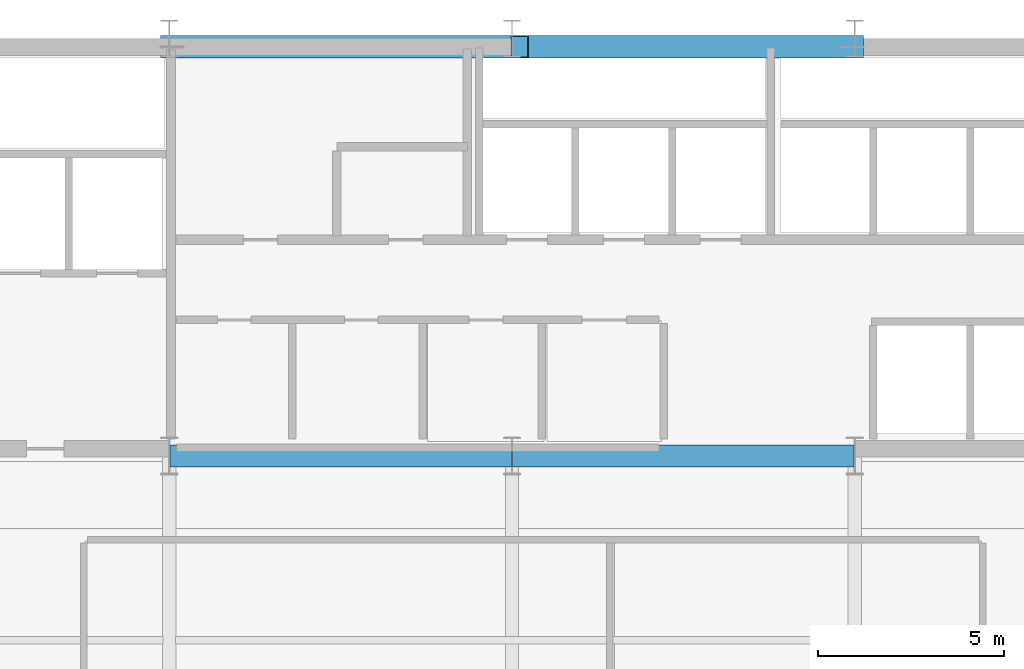
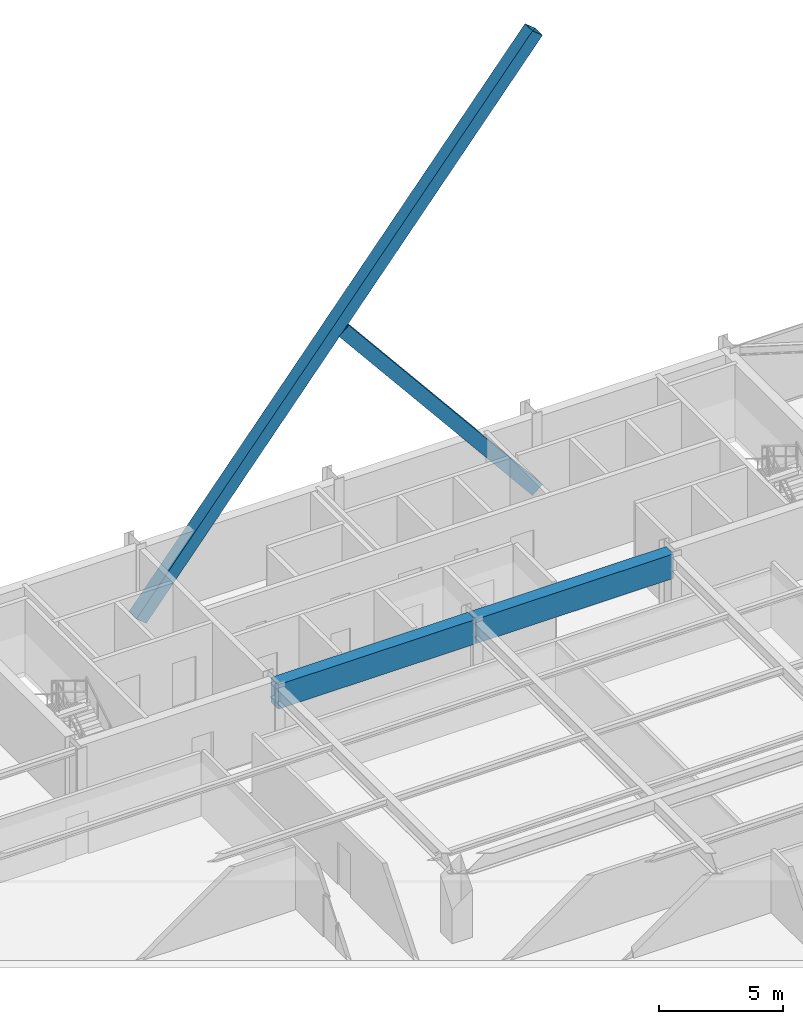
# One storey, part 25 of 38: 2 beams, 2 members.
"""IFC4 building model written with IfcOpenShell, lengths in metres."""

from ifc_helpers import new_model, si_unit, direction, frame, origin, origin_2d, place, context, subcontext, project, spatial, rectangle, hollow_rectangle, extrude, source, transform, mapped, material, material_profile, profile_set, type_object, type_shapes, element, save


model = new_model("IFC4")

# Units and contexts
model_context = context("Model", 3, precision=1e-05, world=origin(), true_north=direction((0.0, 1.0)))
body_context = subcontext(model_context, "Body", "Model", "MODEL_VIEW")
ifc_project = project(units=[si_unit("LENGTHUNIT", "METRE"), si_unit("AREAUNIT", "SQUARE_METRE"), si_unit("VOLUMEUNIT", "CUBIC_METRE"), si_unit("PLANEANGLEUNIT", "RADIAN"), si_unit("MASSUNIT", "GRAM", prefix="KILO")], contexts=[model_context])

# Site, building, storey
site_placement = place(None, origin())
site = spatial("IfcSite", under=ifc_project, at=site_placement, CompositionType="ELEMENT")
building_placement = place(site_placement, origin())
building = spatial("IfcBuilding", under=site, at=building_placement, Name="Varnel Quay Broadcast Tower", CompositionType="ELEMENT")
storey_placement = place(building_placement, frame((0.0, 0.0, 118.199951171875)))
storey = spatial("IfcBuildingStorey", under=building, at=storey_placement, Name="L28", CompositionType="ELEMENT", Elevation=118.199951171875)

# Beams
ifc_material_1 = material(Name="Concrete CSA A23.3 C60/75", Category="concrete")
ifc_material_profile_1 = material_profile(ifc_material_1, rectangle(XDim=0.60009765625, YDim=1.199951171875, at=origin_2d()), Name="RC600X1200")
ifc_profile_set_1 = profile_set([ifc_material_profile_1], Name="Concrete CSA A23.3 C60/75")
beam_type = type_object("IfcBeamType", Name="Beam_RC600X1200", PredefinedType="BEAM", material=ifc_profile_set_1)
shared_shape_1 = source(origin(), body_context, "Body", "SweptSolid", [
    extrude(rectangle(XDim=0.60009765625, YDim=1.199951171875, at=origin_2d()), origin(), (0.0, 0.0, 1.0), 9.159912109375),
])
type_shapes(beam_type, [shared_shape_1])
for number, where, z_axis, x_axis, name in (
    (1, (24.820068359375, 35.60009765625, 2.949951171875), (1.0, 0.0, 0.0), (0.0, 1.0, 0.0), "L28 Core Coupling Beam W"),
    (2, (34.02001953125, 35.60009765625, 2.949951171875), (1.0, 0.0, 0.0), (0.0, 1.0, 0.0), "L28 Core Coupling Beam E"),
):
    element("IfcBeam", number, at=place(storey_placement, frame(where, z_axis=z_axis, x_axis=x_axis)), inside=storey, type_object=beam_type, Name=name, PredefinedType="BEAM", context=body_context, shape_type="MappedRepresentation", body=[
        mapped(shared_shape_1, transform((0.0, 0.0, 0.0), x_axis=(1.0, 0.0, 0.0), y_axis=(0.0, 1.0, 0.0), z_axis=(0.0, 0.0, 1.0), scale=1.0)),
    ])

# Members
ifc_material_2 = material(Name="Structural Steel CSA G40.21 350WT", Category="steel")
ifc_material_profile_2 = material_profile(ifc_material_2, hollow_rectangle(XDim=0.60009765625, YDim=0.60009765625, WallThickness=0.028076171875, at=origin_2d()), Name="BOX600X600X28")
ifc_profile_set_2 = profile_set([ifc_material_profile_2], Name="Structural Steel CSA G40.21 350WT")
member_type = type_object("IfcMemberType", Name="Brace_BOX600X600X28", PredefinedType="BRACE", material=ifc_profile_set_2)
shared_shape_2 = source(origin(), body_context, "Body", "SweptSolid", [
    extrude(hollow_rectangle(XDim=0.60009765625, YDim=0.60009765625, WallThickness=0.028076171875, at=origin_2d()), origin(), (0.0, 0.0, 1.0), 29.01904296875),
])
member_1_placement = place(storey_placement, frame((24.800048828125, 46.580078125, 0.02001953125), z_axis=(0.634062081703, 0.0, 0.773282145498), x_axis=(0.0, 1.0, 0.0)))
element("IfcMember", 3, at=member_1_placement, inside=storey, type_object=member_type, Name="Zone 2 Mega-Brace N-CT3 Continuous Diag A", PredefinedType="BRACE", context=body_context, shape_type="MappedRepresentation", body=[
    mapped(shared_shape_2, transform((0.0, 0.0, 0.0), x_axis=(1.0, 0.0, 0.0), y_axis=(0.0, 1.0, 0.0), z_axis=(0.0, 0.0, 1.0), scale=1.0)),
])
shared_shape_3 = source(origin(), body_context, "Body", "SweptSolid", [
    extrude(hollow_rectangle(XDim=0.60009765625, YDim=0.60009765625, WallThickness=0.028076171875, at=origin_2d()), origin(), (0.0, 0.0, 1.0), 14.1787109375),
])
type_shapes(member_type, [shared_shape_2, shared_shape_3])
member_2_placement = place(storey_placement, frame((43.199951171875, 46.580078125, 0.02001953125), z_axis=(-0.634065379804, 0.0, 0.773279441169), x_axis=(0.0, -1.0, 0.0)))
element("IfcMember", 4, at=member_2_placement, inside=storey, type_object=member_type, Name="Zone 2 Mega-Brace N-CT3 Split Diag B1", PredefinedType="BRACE", context=body_context, shape_type="MappedRepresentation", body=[
    mapped(shared_shape_3, transform((0.0, 0.0, 0.0), x_axis=(1.0, 0.0, 0.0), y_axis=(0.0, 1.0, 0.0), z_axis=(0.0, 0.0, 1.0), scale=1.0)),
])

save(model, "model.ifc")
